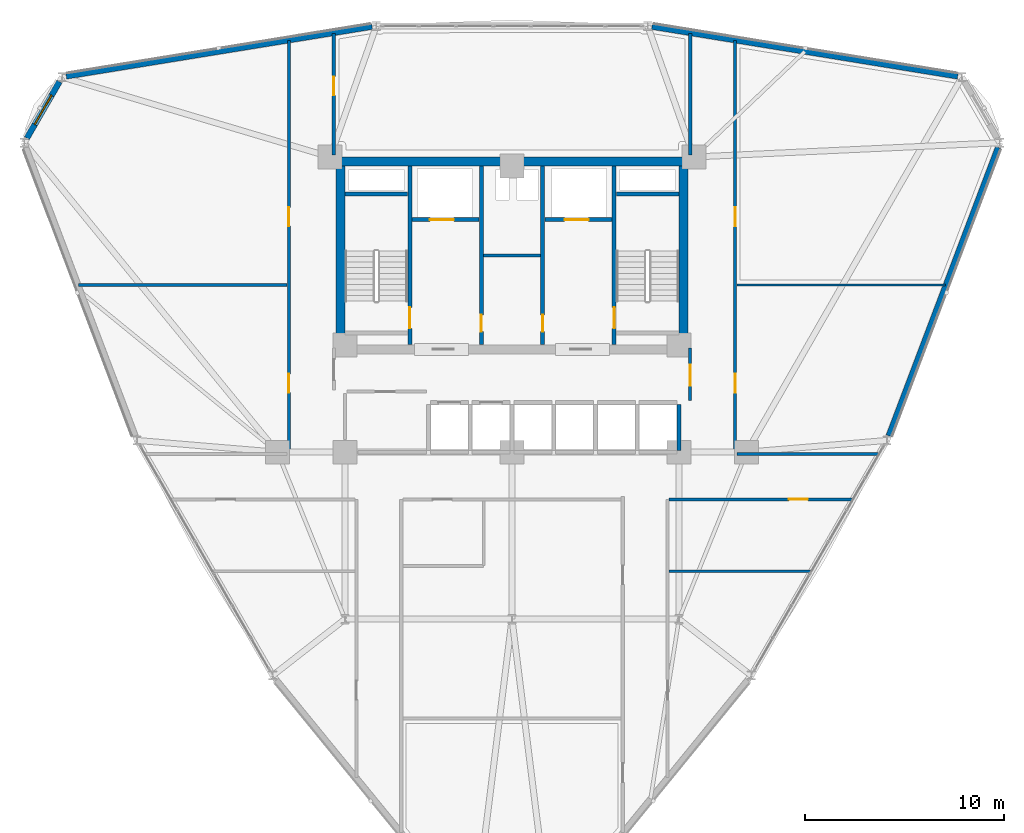
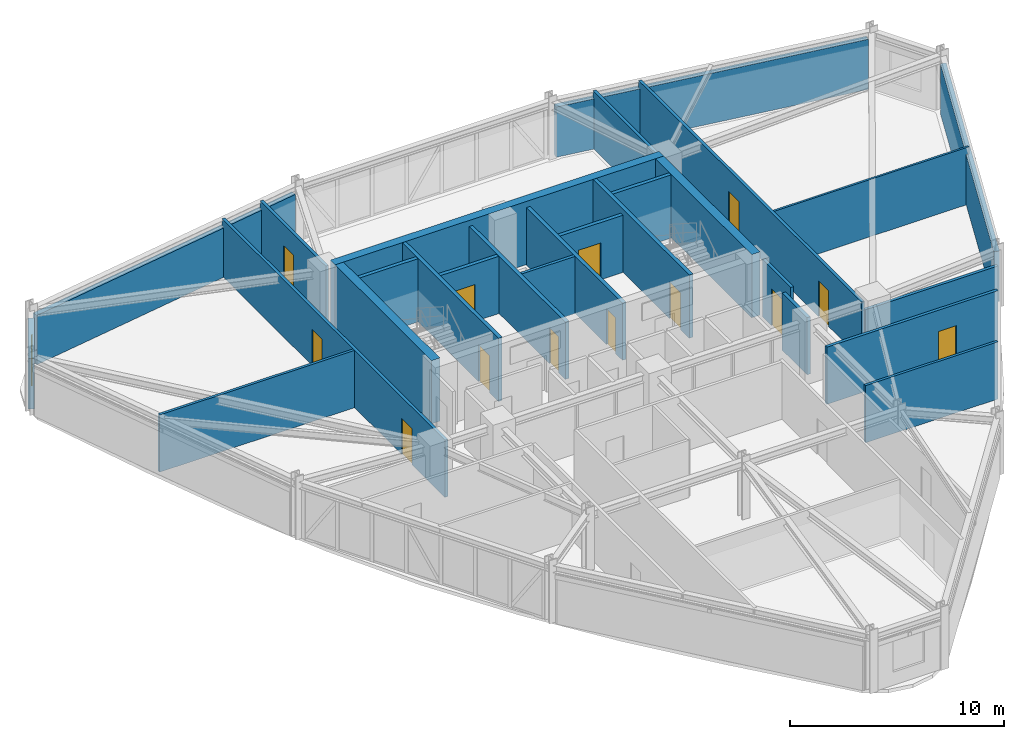
# One storey, part 11 of 17: 27 walls, 13 doors, 1 window, 14 openings.
"""IFC4 building model written with IfcOpenShell, lengths in metres."""

from ifc_helpers import new_model, si_unit, derived_unit, direction, frame, frame_2d, origin, place, context, subcontext, project, spatial, rectangle, extrude, material, layer, layer_set, type_object, element, fill, save


model = new_model("IFC4")

# Units and contexts
model_context = context("Model", 3, precision=1e-05, world=origin(), true_north=direction((0.0, 1.0)))
body_context = subcontext(model_context, "Body", "Model", "MODEL_VIEW")
ifc_project = project(units=[si_unit("LENGTHUNIT", "METRE"), si_unit("AREAUNIT", "SQUARE_METRE"), si_unit("VOLUMEUNIT", "CUBIC_METRE"), si_unit("PLANEANGLEUNIT", "RADIAN"), si_unit("MASSUNIT", "GRAM", prefix="KILO"), derived_unit("THERMALTRANSMITTANCEUNIT", [(si_unit("POWERUNIT", "WATT"), 1), (si_unit("LENGTHUNIT", "METRE"), -2), (si_unit("THERMODYNAMICTEMPERATUREUNIT", "KELVIN"), -1)])], contexts=[model_context])

# Site, building, storey
site_placement = place(None, origin())
site = spatial("IfcSite", under=ifc_project, at=site_placement, CompositionType="ELEMENT")
building_placement = place(site_placement, origin())
building = spatial("IfcBuilding", under=site, at=building_placement, Name="Korsvarv Bourse and Concert Hall", CompositionType="ELEMENT")
storey_placement = place(building_placement, frame((0.0, 0.0, 127.800048828125)))
storey = spatial("IfcBuildingStorey", under=building, at=storey_placement, Name="L32", CompositionType="ELEMENT", Elevation=127.800048828125)

# Wall, opening, door
ifc_material_1 = material(Name="Concrete C50/60", Category="concrete")
ifc_layer_1 = layer(ifc_material_1, 0.3798828125)
ifc_layer_set_1 = layer_set([ifc_layer_1], Name="Concrete C50/60")
wall_type_1 = type_object("IfcWallType", Name="WL-CORE-380", PredefinedType="SHEAR", material=ifc_layer_set_1)
wall_1_placement = place(storey_placement, frame((30.860107421875, 37.81005859375, 0.0), z_axis=(0.0, 0.0, 1.0), x_axis=(0.0, 1.0, 0.0)))
wall_1 = element("IfcWall", 1, at=wall_1_placement, inside=storey, type_object=wall_type_1, Name="L32 stair shaft structural wall W-L32-ST1-E", PredefinedType="SHEAR", context=body_context, shape_type="SweptSolid", body=[
    extrude(rectangle(XDim=8.97998046875, YDim=0.199951171875, at=frame_2d((4.489990234375, 0.0))), origin(), (0.0, 0.0, 1.0), 3.599853515625),
])
opening_1_placement = place(wall_1_placement, frame((0.820068359375, 0.0, 0.0)))
opening_1 = element("IfcOpeningElement", 2, at=opening_1_placement, cuts=wall_1, Name="Opening D-01", PredefinedType="OPENING", context=body_context, shape_type="SweptSolid", body=[
    extrude(rectangle(XDim=1.050048828125, YDim=2.10009765625, at=frame_2d((0.52490234375, 1.050048828125))), frame((0.0, 0.10986328125, 0.0), z_axis=(0.0, -1.0, 0.0), x_axis=(1.0, 0.0, 0.0)), (0.0, 0.0, 1.0), 0.219970703125),
])
ifc_material_2 = material(Name="Steel S355 fire door", Category="steel")
door_type_1 = type_object("IfcDoorType", Name="DR-FD60", OperationType="NOTDEFINED", PredefinedType="DOOR", material=ifc_material_2)
door_1_placement = place(opening_1_placement, origin())
door_1 = element("IfcDoor", 3, at=door_1_placement, inside=storey, type_object=door_type_1, Name="L32 interior door DR-L32-ST1", OperationType="SINGLE_SWING_RIGHT", OverallHeight=2.10009765625, OverallWidth=1.050048828125, PredefinedType="DOOR", context=body_context, shape_type="SweptSolid", body=[
    extrude(rectangle(XDim=1.050048828125, YDim=2.10009765625, at=frame_2d((0.52490234375, 1.050048828125))), frame((0.0, 0.02490234375, 0.0), z_axis=(0.0, -1.0, 0.0), x_axis=(1.0, 0.0, 0.0)), (0.0, 0.0, 1.0), 0.050048828125),
])
fill(opening_1, door_1)

# Wall
wall_2_placement = place(storey_placement, frame((27.610107421875, 45.39990234375, 0.0), z_axis=(0.0, 0.0, 1.0), x_axis=(1.0, 0.0, 0.0)))
element("IfcWall", 4, at=wall_2_placement, inside=storey, type_object=wall_type_1, Name="L32 stair shaft structural wall W-L32-ST1-N", PredefinedType="SHEAR", context=body_context, shape_type="SweptSolid", body=[
    extrude(rectangle(XDim=3.139892578125, YDim=0.199951171875, at=frame_2d((1.56982421875, 0.0))), origin(), (0.0, 0.0, 1.0), 3.599853515625),
])

# Wall, opening, door
wall_3_placement = place(storey_placement, frame((41.139892578125, 37.81005859375, 0.0), z_axis=(0.0, 0.0, 1.0), x_axis=(0.0, 1.0, 0.0)))
wall_3 = element("IfcWall", 5, at=wall_3_placement, inside=storey, type_object=wall_type_1, Name="L32 stair shaft structural wall W-L32-ST2-W", PredefinedType="SHEAR", context=body_context, shape_type="SweptSolid", body=[
    extrude(rectangle(XDim=8.97998046875, YDim=0.199951171875, at=frame_2d((4.489990234375, 0.0))), origin(), (0.0, 0.0, 1.0), 3.599853515625),
])
opening_2_placement = place(wall_3_placement, frame((0.820068359375, 0.0, 0.0)))
opening_2 = element("IfcOpeningElement", 6, at=opening_2_placement, cuts=wall_3, Name="Opening D-01", PredefinedType="OPENING", context=body_context, shape_type="SweptSolid", body=[
    extrude(rectangle(XDim=1.050048828125, YDim=2.10009765625, at=frame_2d((0.52490234375, 1.050048828125))), frame((0.0, 0.10986328125, 0.0), z_axis=(0.0, -1.0, 0.0), x_axis=(1.0, 0.0, 0.0)), (0.0, 0.0, 1.0), 0.219970703125),
])
door_2_placement = place(opening_2_placement, frame((1.050048828125, 0.0, 0.0), z_axis=(0.0, 0.0, 1.0), x_axis=(-1.0, 0.0, 0.0)))
door_2 = element("IfcDoor", 7, at=door_2_placement, inside=storey, type_object=door_type_1, Name="L32 interior door DR-L32-ST2", OperationType="SINGLE_SWING_LEFT", OverallHeight=2.10009765625, OverallWidth=1.050048828125, PredefinedType="DOOR", context=body_context, shape_type="SweptSolid", body=[
    extrude(rectangle(XDim=1.050048828125, YDim=2.10009765625, at=frame_2d((0.52490234375, 1.050048828125))), frame((0.0, 0.02490234375, 0.0), z_axis=(0.0, -1.0, 0.0), x_axis=(1.0, 0.0, 0.0)), (0.0, 0.0, 1.0), 0.050048828125),
])
fill(opening_2, door_2)

# Walls
wall_4_placement = place(storey_placement, frame((41.25, 45.39990234375, 0.0), z_axis=(0.0, 0.0, 1.0), x_axis=(1.0, 0.0, 0.0)))
element("IfcWall", 8, at=wall_4_placement, inside=storey, type_object=wall_type_1, Name="L32 stair shaft structural wall W-L32-ST2-N", PredefinedType="SHEAR", context=body_context, shape_type="SweptSolid", body=[
    extrude(rectangle(XDim=3.139892578125, YDim=0.199951171875, at=frame_2d((1.56982421875, 0.0))), origin(), (0.0, 0.0, 1.0), 3.599853515625),
])
ifc_material_3 = material(Name="Concrete C55/67", Category="concrete")
ifc_layer_2 = layer(ifc_material_3, 0.449951171875)
ifc_layer_set_2 = layer_set([ifc_layer_2], Name="Concrete C55/67")
wall_type_2 = type_object("IfcWallType", Name="WL-CORE-450", PredefinedType="SHEAR", material=ifc_layer_set_2)
wall_5_placement = place(storey_placement, frame((27.14990234375, 47.02490234375, 0.0), z_axis=(0.0, 0.0, 1.0), x_axis=(1.0, 0.0, 0.0)))
element("IfcWall", 9, at=wall_5_placement, inside=storey, type_object=wall_type_2, Name="L32 North Core Shear Wall", PredefinedType="SHEAR", context=body_context, shape_type="SweptSolid", body=[
    extrude(rectangle(XDim=17.7001953125, YDim=0.449951171875, at=frame_2d((8.85009765625, 0.0))), origin(), (0.0, 0.0, 1.0), 3.599853515625),
])
for number, where, z_axis, x_axis, name in (
    (10, (27.375, 37.800048828125, 0.0), (0.0, 0.0, 1.0), (0.0, 1.0, 0.0), "L32 West Core Shear Wall"),
    (11, (44.625, 37.800048828125, 0.0), (0.0, 0.0, 1.0), (0.0, 1.0, 0.0), "L32 East Core Shear Wall"),
):
    element("IfcWall", number, at=place(storey_placement, frame(where, z_axis=z_axis, x_axis=x_axis)), inside=storey, type_object=wall_type_2, Name=name, PredefinedType="SHEAR", context=body_context, shape_type="SweptSolid", body=[
        extrude(rectangle(XDim=9.0, YDim=0.449951171875, at=frame_2d((4.5, 0.0))), origin(), (0.0, 0.0, 1.0), 3.599853515625),
    ])

# Wall, opening, window
ifc_material_4 = material(Name="Precast concrete C45/55 with terracotta rainscreen", Category="concrete")
ifc_layer_3 = layer(ifc_material_4, 0.300048828125)
ifc_layer_set_3 = layer_set([ifc_layer_3], Name="Precast concrete C45/55 with terracotta rainscreen")
wall_type_3 = type_object("IfcWallType", Name="WL-EXT-TC1", PredefinedType="SOLIDWALL", material=ifc_layer_set_3)
wall_6_placement = place(storey_placement, frame((13.23193359375, 51.038330078125, 0.0), z_axis=(0.0, 0.0, 1.0), x_axis=(-0.500014611105, -0.866016967894, 0.0)))
wall_6 = element("IfcWall", 12, at=wall_6_placement, inside=storey, type_object=wall_type_3, Name="L32 terracotta exterior wall EW-L32-B05", PredefinedType="SOLIDWALL", context=body_context, shape_type="SweptSolid", body=[
    extrude(rectangle(XDim=3.279296875, YDim=0.300048828125, at=frame_2d((1.6396484375, 0.0))), origin(), (0.0, 0.0, 1.0), 2.85986328125),
])
opening_3_placement = place(wall_6_placement, frame((0.78955078125, 0.0, 0.75)))
opening_3 = element("IfcOpeningElement", 13, at=opening_3_placement, cuts=wall_6, Name="Opening W-01", PredefinedType="OPENING", context=body_context, shape_type="SweptSolid", body=[
    extrude(rectangle(XDim=1.699951171875, YDim=1.75, at=frame_2d((0.85009765625, 0.875))), frame((0.0, 0.16015625, 0.0), z_axis=(0.0, -1.0, 0.0), x_axis=(1.0, 0.0, 0.0)), (0.0, 0.0, 1.0), 0.320068359375),
])
ifc_material_5 = material(Name="Thermally broken aluminium frame with triple low-E glass", Category="glass")
window_type = type_object("IfcWindowType", Name="WIN-TW1", PartitioningType="SINGLE_PANEL", PredefinedType="WINDOW", material=ifc_material_5)
window_placement = place(opening_3_placement, origin())
window = element("IfcWindow", 14, at=window_placement, inside=storey, type_object=window_type, Name="L32 punched facade window W-01", OverallHeight=1.75, OverallWidth=1.699951171875, PartitioningType="SINGLE_PANEL", PredefinedType="WINDOW", context=body_context, shape_type="SweptSolid", body=[
    extrude(rectangle(XDim=1.699951171875, YDim=1.75, at=frame_2d((0.85009765625, 0.875))), frame((0.0, 0.030029296875, 0.0), z_axis=(0.0, -1.0, 0.0), x_axis=(1.0, 0.0, 0.0)), (0.0, 0.0, 1.0), 0.06005859375),
])
fill(opening_3, window)

# Walls
ifc_material_6 = material(Name="Precast concrete C45/55 with fluted terracotta pier", Category="concrete")
ifc_layer_4 = layer(ifc_material_6, 0.280029296875)
ifc_layer_set_4 = layer_set([ifc_layer_4], Name="Precast concrete C45/55 with fluted terracotta pier")
wall_type_4 = type_object("IfcWallType", Name="WL-EXT-TC2", PredefinedType="SOLIDWALL", material=ifc_layer_set_4)
wall_7_placement = place(storey_placement, frame((58.419921875, 51.3056640625, 0.0), z_axis=(0.0, 0.0, 1.0), x_axis=(-0.987036263752, 0.160497395736, 0.0)))
element("IfcWall", 15, at=wall_7_placement, inside=storey, type_object=wall_type_4, Name="L32 terracotta exterior wall EW-L32-B02", PredefinedType="SOLIDWALL", context=body_context, shape_type="SweptSolid", body=[
    extrude(rectangle(XDim=15.5810546875, YDim=0.280029296875, at=frame_2d((7.79052734375, 0.0))), origin(), (0.0, 0.0, 1.0), 2.85986328125),
])
wall_8_placement = place(storey_placement, frame((28.959228515625, 53.806396484375, 0.0), z_axis=(0.0, 0.0, 1.0), x_axis=(-0.987036263752, -0.160497395736, 0.0)))
element("IfcWall", 16, at=wall_8_placement, inside=storey, type_object=wall_type_4, Name="L32 terracotta exterior wall EW-L32-B04", PredefinedType="SOLIDWALL", context=body_context, shape_type="SweptSolid", body=[
    extrude(rectangle(XDim=15.5810546875, YDim=0.280029296875, at=frame_2d((7.79052734375, 0.0))), origin(), (0.0, 0.0, 1.0), 2.81005859375),
])
wall_9_placement = place(storey_placement, frame((54.952392578125, 33.22412109375, 0.0), z_axis=(0.0, 0.0, 1.0), x_axis=(0.354519532047, 0.935048609109, 0.0)))
element("IfcWall", 17, at=wall_9_placement, inside=storey, type_object=wall_type_4, Name="L32 terracotta exterior wall EW-L32-B12", PredefinedType="SOLIDWALL", context=body_context, shape_type="SweptSolid", body=[
    extrude(rectangle(XDim=15.517333984375, YDim=0.280029296875, at=frame_2d((7.7587890625, 0.0))), origin(), (0.0, 0.0, 1.0), 2.85986328125),
])

# Wall, opening, door
ifc_material_7 = material(Name="Reinforced concrete blockwork C35/45 fire wall", Category="concrete")
ifc_layer_5 = layer(ifc_material_7, 0.199951171875)
ifc_layer_set_5 = layer_set([ifc_layer_5], Name="Reinforced concrete blockwork C35/45 fire wall")
wall_type_5 = type_object("IfcWallType", Name="WL-INT-EI120", PredefinedType="PARTITIONING", material=ifc_layer_set_5)
wall_10_placement = place(storey_placement, frame((30.969970703125, 44.10009765625, 0.0), z_axis=(0.0, 0.0, 1.0), x_axis=(1.0, 0.0, 0.0)))
wall_10 = element("IfcWall", 18, at=wall_10_placement, inside=storey, type_object=wall_type_5, Name="L32 interior partition wall W-L32-FF1-S", PredefinedType="PARTITIONING", context=body_context, shape_type="SweptSolid", body=[
    extrude(rectangle(XDim=3.380126953125, YDim=0.199951171875, at=frame_2d((1.68994140625, 0.0))), origin(), (0.0, 0.0, 1.0), 3.260009765625),
])
opening_4_placement = place(wall_10_placement, frame((0.89990234375, 0.0, 0.0)))
opening_4 = element("IfcOpeningElement", 19, at=opening_4_placement, cuts=wall_10, Name="Opening LD-1", PredefinedType="OPENING", context=body_context, shape_type="SweptSolid", body=[
    extrude(rectangle(XDim=1.199951171875, YDim=2.10009765625, at=frame_2d((0.60009765625, 1.050048828125))), frame((0.0, 0.10986328125, 0.0), z_axis=(0.0, -1.0, 0.0), x_axis=(1.0, 0.0, 0.0)), (0.0, 0.0, 1.0), 0.219970703125),
])
ifc_material_8 = material(Name="Stainless Steel S355 firefighting lift landing door", Category="steel")
door_type_2 = type_object("IfcDoorType", Name="DR-LIFT-FF", OperationType="DOUBLE_DOOR_SLIDING", PredefinedType="DOOR", material=ifc_material_8)
door_3_placement = place(opening_4_placement, origin())
door_3 = element("IfcDoor", 20, at=door_3_placement, inside=storey, type_object=door_type_2, Name="L32 lift sliding landing door LD-L32-FF1", OperationType="DOUBLE_DOOR_SLIDING", OverallHeight=2.10009765625, OverallWidth=1.199951171875, PredefinedType="DOOR", context=body_context, shape_type="SweptSolid", body=[
    extrude(rectangle(XDim=1.199951171875, YDim=2.10009765625, at=frame_2d((0.60009765625, 1.050048828125))), frame((0.0, 0.02490234375, 0.0), z_axis=(0.0, -1.0, 0.0), x_axis=(1.0, 0.0, 0.0)), (0.0, 0.0, 1.0), 0.050048828125),
])
fill(opening_4, door_3)

wall_11_placement = place(storey_placement, frame((37.64990234375, 44.10009765625, 0.0), z_axis=(0.0, 0.0, 1.0), x_axis=(1.0, 0.0, 0.0)))
wall_11 = element("IfcWall", 21, at=wall_11_placement, inside=storey, type_object=wall_type_5, Name="L32 interior partition wall W-L32-FF2-S", PredefinedType="PARTITIONING", context=body_context, shape_type="SweptSolid", body=[
    extrude(rectangle(XDim=3.380126953125, YDim=0.199951171875, at=frame_2d((1.68994140625, 0.0))), origin(), (0.0, 0.0, 1.0), 3.260009765625),
])
opening_5_placement = place(wall_11_placement, frame((1.0, 0.0, 0.0)))
opening_5 = element("IfcOpeningElement", 22, at=opening_5_placement, cuts=wall_11, Name="Opening LD-1", PredefinedType="OPENING", context=body_context, shape_type="SweptSolid", body=[
    extrude(rectangle(XDim=1.199951171875, YDim=2.10009765625, at=frame_2d((0.60009765625, 1.050048828125))), frame((0.0, 0.10986328125, 0.0), z_axis=(0.0, -1.0, 0.0), x_axis=(1.0, 0.0, 0.0)), (0.0, 0.0, 1.0), 0.219970703125),
])
door_4_placement = place(opening_5_placement, origin())
door_4 = element("IfcDoor", 23, at=door_4_placement, inside=storey, type_object=door_type_2, Name="L32 lift sliding landing door LD-L32-FF2", OperationType="DOUBLE_DOOR_SLIDING", OverallHeight=2.10009765625, OverallWidth=1.199951171875, PredefinedType="DOOR", context=body_context, shape_type="SweptSolid", body=[
    extrude(rectangle(XDim=1.199951171875, YDim=2.10009765625, at=frame_2d((0.60009765625, 1.050048828125))), frame((0.0, 0.02490234375, 0.0), z_axis=(0.0, -1.0, 0.0), x_axis=(1.0, 0.0, 0.0)), (0.0, 0.0, 1.0), 0.050048828125),
])
fill(opening_5, door_4)

wall_12_placement = place(storey_placement, frame((34.4599609375, 37.81005859375, 0.0), z_axis=(0.0, 0.0, 1.0), x_axis=(0.0, 1.0, 0.0)))
wall_12 = element("IfcWall", 24, at=wall_12_placement, inside=storey, type_object=wall_type_5, Name="L32 interior partition wall W-L32-CSB-W", PredefinedType="PARTITIONING", context=body_context, shape_type="SweptSolid", body=[
    extrude(rectangle(XDim=8.97998046875, YDim=0.199951171875, at=frame_2d((4.489990234375, 0.0))), origin(), (0.0, 0.0, 1.0), 3.260009765625),
])
opening_6_placement = place(wall_12_placement, frame((0.64990234375, 0.0, 0.0)))
opening_6 = element("IfcOpeningElement", 25, at=opening_6_placement, cuts=wall_12, Name="Opening D-05", PredefinedType="OPENING", context=body_context, shape_type="SweptSolid", body=[
    extrude(rectangle(XDim=0.85009765625, YDim=2.050048828125, at=frame_2d((0.425048828125, 1.02490234375))), frame((0.0, 0.10986328125, 0.0), z_axis=(0.0, -1.0, 0.0), x_axis=(1.0, 0.0, 0.0)), (0.0, 0.0, 1.0), 0.219970703125),
])
door_type_3 = type_object("IfcDoorType", Name="DR-FD60-850X2050", OperationType="NOTDEFINED", PredefinedType="DOOR", material=ifc_material_2)
door_5_placement = place(opening_6_placement, frame((0.85009765625, 0.0, 0.0), z_axis=(0.0, 0.0, 1.0), x_axis=(-1.0, 0.0, 0.0)))
door_5 = element("IfcDoor", 26, at=door_5_placement, inside=storey, type_object=door_type_3, Name="L32 interior door DR-L32-CSB1", OperationType="SINGLE_SWING_RIGHT", OverallHeight=2.050048828125, OverallWidth=0.85009765625, PredefinedType="DOOR", context=body_context, shape_type="SweptSolid", body=[
    extrude(rectangle(XDim=0.85009765625, YDim=2.050048828125, at=frame_2d((0.425048828125, 1.02490234375))), frame((0.0, 0.02490234375, 0.0), z_axis=(0.0, -1.0, 0.0), x_axis=(1.0, 0.0, 0.0)), (0.0, 0.0, 1.0), 0.050048828125),
])
fill(opening_6, door_5)

wall_13_placement = place(storey_placement, frame((37.5400390625, 37.81005859375, 0.0), z_axis=(0.0, 0.0, 1.0), x_axis=(0.0, 1.0, 0.0)))
wall_13 = element("IfcWall", 27, at=wall_13_placement, inside=storey, type_object=wall_type_5, Name="L32 interior partition wall W-L32-CSB-E", PredefinedType="PARTITIONING", context=body_context, shape_type="SweptSolid", body=[
    extrude(rectangle(XDim=8.97998046875, YDim=0.199951171875, at=frame_2d((4.489990234375, 0.0))), origin(), (0.0, 0.0, 1.0), 3.260009765625),
])
opening_7_placement = place(wall_13_placement, frame((0.64990234375, 0.0, 0.0)))
opening_7 = element("IfcOpeningElement", 28, at=opening_7_placement, cuts=wall_13, Name="Opening D-05", PredefinedType="OPENING", context=body_context, shape_type="SweptSolid", body=[
    extrude(rectangle(XDim=0.85009765625, YDim=2.050048828125, at=frame_2d((0.425048828125, 1.02490234375))), frame((0.0, 0.10986328125, 0.0), z_axis=(0.0, -1.0, 0.0), x_axis=(1.0, 0.0, 0.0)), (0.0, 0.0, 1.0), 0.219970703125),
])
door_6_placement = place(opening_7_placement, origin())
door_6 = element("IfcDoor", 29, at=door_6_placement, inside=storey, type_object=door_type_3, Name="L32 interior door DR-L32-CSB2", OperationType="SINGLE_SWING_LEFT", OverallHeight=2.050048828125, OverallWidth=0.85009765625, PredefinedType="DOOR", context=body_context, shape_type="SweptSolid", body=[
    extrude(rectangle(XDim=0.85009765625, YDim=2.050048828125, at=frame_2d((0.425048828125, 1.02490234375))), frame((0.0, 0.02490234375, 0.0), z_axis=(0.0, -1.0, 0.0), x_axis=(1.0, 0.0, 0.0)), (0.0, 0.0, 1.0), 0.050048828125),
])
fill(opening_7, door_6)

# Wall
ifc_material_9 = material(Name="Double-stud fire-rated acoustic partition", Category="gypsum")
ifc_layer_6 = layer(ifc_material_9, 0.159912109375)
ifc_layer_set_6 = layer_set([ifc_layer_6], Name="Double-stud fire-rated acoustic partition")
wall_type_6 = type_object("IfcWallType", Name="WL-INT-EI60", PredefinedType="PARTITIONING", material=ifc_layer_set_6)
wall_14_placement = place(storey_placement, frame((34.570068359375, 42.300048828125, 0.0), z_axis=(0.0, 0.0, 1.0), x_axis=(1.0, 0.0, 0.0)))
element("IfcWall", 30, at=wall_14_placement, inside=storey, type_object=wall_type_6, Name="L32 interior partition wall W-L32-K1", PredefinedType="PARTITIONING", context=body_context, shape_type="SweptSolid", body=[
    extrude(rectangle(XDim=2.85986328125, YDim=0.159912109375, at=frame_2d((1.429931640625, 0.0))), origin(), (0.0, 0.0, 1.0), 3.260009765625),
])

# Wall, opening, door
wall_15_placement = place(storey_placement, frame((44.9599609375, 35.0, 0.0), z_axis=(0.0, 0.0, 1.0), x_axis=(0.0, 1.0, 0.0)))
wall_15 = element("IfcWall", 31, at=wall_15_placement, inside=storey, type_object=wall_type_6, Name="L32 interior partition wall W-L32-LOB-E", PredefinedType="PARTITIONING", context=body_context, shape_type="SweptSolid", body=[
    extrude(rectangle(XDim=2.64990234375, YDim=0.159912109375, at=frame_2d((1.324951171875, 0.0))), origin(), (0.0, 0.0, 1.0), 3.260009765625),
])
opening_8_placement = place(wall_15_placement, frame((0.75, 0.0, 0.0)))
opening_8 = element("IfcOpeningElement", 32, at=opening_8_placement, cuts=wall_15, Name="Opening D-01", PredefinedType="OPENING", context=body_context, shape_type="SweptSolid", body=[
    extrude(rectangle(XDim=1.050048828125, YDim=2.10009765625, at=frame_2d((0.52490234375, 1.050048828125))), frame((0.0, 0.08984375, 0.0), z_axis=(0.0, -1.0, 0.0), x_axis=(1.0, 0.0, 0.0)), (0.0, 0.0, 1.0), 0.179931640625),
])
door_7_placement = place(opening_8_placement, origin())
door_7 = element("IfcDoor", 33, at=door_7_placement, inside=storey, type_object=door_type_1, Name="L32 interior door DR-L32-LOBE", OperationType="SINGLE_SWING_RIGHT", OverallHeight=2.10009765625, OverallWidth=1.050048828125, PredefinedType="DOOR", context=body_context, shape_type="SweptSolid", body=[
    extrude(rectangle(XDim=1.050048828125, YDim=2.10009765625, at=frame_2d((0.52490234375, 1.050048828125))), frame((0.0, 0.02490234375, 0.0), z_axis=(0.0, -1.0, 0.0), x_axis=(1.0, 0.0, 0.0)), (0.0, 0.0, 1.0), 0.050048828125),
])
fill(opening_8, door_7)

# Wall, openings, doors
wall_16_placement = place(storey_placement, frame((47.22509765625, 32.31005859375, 0.0), z_axis=(0.0, 0.0, 1.0), x_axis=(0.0, 1.0, 0.0)))
wall_16 = element("IfcWall", 34, at=wall_16_placement, inside=storey, type_object=wall_type_6, Name="L32 interior partition wall W-L32-TCOR-01", PredefinedType="PARTITIONING", context=body_context, shape_type="SweptSolid", body=[
    extrude(rectangle(XDim=20.7958984375, YDim=0.159912109375, at=frame_2d((10.39794921875, 0.0))), origin(), (0.0, 0.0, 1.0), 3.260009765625),
])
opening_9_placement = place(wall_16_placement, frame((3.08154296875, 0.0, 0.0)))
opening_9 = element("IfcOpeningElement", 35, at=opening_9_placement, cuts=wall_16, Name="Opening D-02", PredefinedType="OPENING", context=body_context, shape_type="SweptSolid", body=[
    extrude(rectangle(XDim=0.949951171875, YDim=2.050048828125, at=frame_2d((0.47509765625, 1.02490234375))), frame((0.0, 0.08984375, 0.0), z_axis=(0.0, -1.0, 0.0), x_axis=(1.0, 0.0, 0.0)), (0.0, 0.0, 1.0), 0.179931640625),
])
opening_10_placement = place(wall_16_placement, frame((11.459716796875, 0.0, 0.0)))
opening_10 = element("IfcOpeningElement", 36, at=opening_10_placement, cuts=wall_16, Name="Opening D-02", PredefinedType="OPENING", context=body_context, shape_type="SweptSolid", body=[
    extrude(rectangle(XDim=0.949951171875, YDim=2.050048828125, at=frame_2d((0.47509765625, 1.02490234375))), frame((0.0, 0.08984375, 0.0), z_axis=(0.0, -1.0, 0.0), x_axis=(1.0, 0.0, 0.0)), (0.0, 0.0, 1.0), 0.179931640625),
])
ifc_material_10 = material(Name="Timber and steel acoustic fire door", Category="wood")
door_type_4 = type_object("IfcDoorType", Name="DR-FD30", OperationType="NOTDEFINED", PredefinedType="DOOR", material=ifc_material_10)
door_8_placement = place(opening_9_placement, origin())
door_8 = element("IfcDoor", 37, at=door_8_placement, inside=storey, type_object=door_type_4, Name="L32 interior door DR-L32-TCOR-ES81", OperationType="SINGLE_SWING_LEFT", OverallHeight=2.050048828125, OverallWidth=0.949951171875, PredefinedType="DOOR", context=body_context, shape_type="SweptSolid", body=[
    extrude(rectangle(XDim=0.949951171875, YDim=2.050048828125, at=frame_2d((0.47509765625, 1.02490234375))), frame((0.0, 0.02490234375, 0.0), z_axis=(0.0, -1.0, 0.0), x_axis=(1.0, 0.0, 0.0)), (0.0, 0.0, 1.0), 0.050048828125),
])
fill(opening_9, door_8)
door_9_placement = place(opening_10_placement, origin())
door_9 = element("IfcDoor", 38, at=door_9_placement, inside=storey, type_object=door_type_4, Name="L32 interior door DR-L32-TCOR-RM22", OperationType="SINGLE_SWING_RIGHT", OverallHeight=2.050048828125, OverallWidth=0.949951171875, PredefinedType="DOOR", context=body_context, shape_type="SweptSolid", body=[
    extrude(rectangle(XDim=0.949951171875, YDim=2.050048828125, at=frame_2d((0.47509765625, 1.02490234375))), frame((0.0, 0.02490234375, 0.0), z_axis=(0.0, -1.0, 0.0), x_axis=(1.0, 0.0, 0.0)), (0.0, 0.0, 1.0), 0.050048828125),
])
fill(opening_10, door_9)

wall_17_placement = place(storey_placement, frame((24.77490234375, 32.31005859375, 0.0), z_axis=(0.0, 0.0, 1.0), x_axis=(0.0, 1.0, 0.0)))
wall_17 = element("IfcWall", 39, at=wall_17_placement, inside=storey, type_object=wall_type_6, Name="L32 interior partition wall W-L32-TCOR-02", PredefinedType="PARTITIONING", context=body_context, shape_type="SweptSolid", body=[
    extrude(rectangle(XDim=20.7958984375, YDim=0.159912109375, at=frame_2d((10.39794921875, 0.0))), origin(), (0.0, 0.0, 1.0), 3.260009765625),
])
opening_11_placement = place(wall_17_placement, frame((3.08154296875, 0.0, 0.0)))
opening_11 = element("IfcOpeningElement", 40, at=opening_11_placement, cuts=wall_17, Name="Opening D-02", PredefinedType="OPENING", context=body_context, shape_type="SweptSolid", body=[
    extrude(rectangle(XDim=0.949951171875, YDim=2.050048828125, at=frame_2d((0.47509765625, 1.02490234375))), frame((0.0, 0.08984375, 0.0), z_axis=(0.0, -1.0, 0.0), x_axis=(1.0, 0.0, 0.0)), (0.0, 0.0, 1.0), 0.179931640625),
])
opening_12_placement = place(wall_17_placement, frame((11.459716796875, 0.0, 0.0)))
opening_12 = element("IfcOpeningElement", 41, at=opening_12_placement, cuts=wall_17, Name="Opening D-02", PredefinedType="OPENING", context=body_context, shape_type="SweptSolid", body=[
    extrude(rectangle(XDim=0.949951171875, YDim=2.050048828125, at=frame_2d((0.47509765625, 1.02490234375))), frame((0.0, 0.08984375, 0.0), z_axis=(0.0, -1.0, 0.0), x_axis=(1.0, 0.0, 0.0)), (0.0, 0.0, 1.0), 0.179931640625),
])
door_10_placement = place(opening_11_placement, origin())
door_10 = element("IfcDoor", 42, at=door_10_placement, inside=storey, type_object=door_type_4, Name="L32 interior door DR-L32-TCOR-ES610", OperationType="SINGLE_SWING_LEFT", OverallHeight=2.050048828125, OverallWidth=0.949951171875, PredefinedType="DOOR", context=body_context, shape_type="SweptSolid", body=[
    extrude(rectangle(XDim=0.949951171875, YDim=2.050048828125, at=frame_2d((0.47509765625, 1.02490234375))), frame((0.0, 0.02490234375, 0.0), z_axis=(0.0, -1.0, 0.0), x_axis=(1.0, 0.0, 0.0)), (0.0, 0.0, 1.0), 0.050048828125),
])
fill(opening_11, door_10)
door_11_placement = place(opening_12_placement, origin())
door_11 = element("IfcDoor", 43, at=door_11_placement, inside=storey, type_object=door_type_4, Name="L32 interior door DR-L32-TCOR-ES711", OperationType="SINGLE_SWING_RIGHT", OverallHeight=2.050048828125, OverallWidth=0.949951171875, PredefinedType="DOOR", context=body_context, shape_type="SweptSolid", body=[
    extrude(rectangle(XDim=0.949951171875, YDim=2.050048828125, at=frame_2d((0.47509765625, 1.02490234375))), frame((0.0, 0.02490234375, 0.0), z_axis=(0.0, -1.0, 0.0), x_axis=(1.0, 0.0, 0.0)), (0.0, 0.0, 1.0), 0.050048828125),
])
fill(opening_12, door_11)

# Wall, opening, door
wall_18_placement = place(storey_placement, frame((43.906982421875, 30.02490234375, 0.0), z_axis=(0.0, 0.0, 1.0), x_axis=(1.0, 0.0, 0.0)))
wall_18 = element("IfcWall", 44, at=wall_18_placement, inside=storey, type_object=wall_type_6, Name="L32 interior partition wall W-L32-TCOR-09", PredefinedType="PARTITIONING", context=body_context, shape_type="SweptSolid", body=[
    extrude(rectangle(XDim=9.224609375, YDim=0.159912109375, at=frame_2d((4.6123046875, 0.0))), origin(), (0.0, 0.0, 1.0), 3.260009765625),
])
opening_13_placement = place(wall_18_placement, frame((6.02490234375, 0.0, 0.0)))
opening_13 = element("IfcOpeningElement", 45, at=opening_13_placement, cuts=wall_18, Name="Opening D-02", PredefinedType="OPENING", context=body_context, shape_type="SweptSolid", body=[
    extrude(rectangle(XDim=0.949951171875, YDim=2.050048828125, at=frame_2d((0.47509765625, 1.02490234375))), frame((0.0, 0.08984375, 0.0), z_axis=(0.0, -1.0, 0.0), x_axis=(1.0, 0.0, 0.0)), (0.0, 0.0, 1.0), 0.179931640625),
])
door_12_placement = place(opening_13_placement, origin())
door_12 = element("IfcDoor", 46, at=door_12_placement, inside=storey, type_object=door_type_4, Name="L32 interior door DR-L32-TCOR-ES24", OperationType="SINGLE_SWING_LEFT", OverallHeight=2.050048828125, OverallWidth=0.949951171875, PredefinedType="DOOR", context=body_context, shape_type="SweptSolid", body=[
    extrude(rectangle(XDim=0.949951171875, YDim=2.050048828125, at=frame_2d((0.47509765625, 1.02490234375))), frame((0.0, 0.02490234375, 0.0), z_axis=(0.0, -1.0, 0.0), x_axis=(1.0, 0.0, 0.0)), (0.0, 0.0, 1.0), 0.050048828125),
])
fill(opening_13, door_12)

# Wall
wall_19_placement = place(storey_placement, frame((47.306884765625, 32.31494140625, 0.0), z_axis=(0.0, 0.0, 1.0), x_axis=(1.0, 0.0, 0.0)))
element("IfcWall", 47, at=wall_19_placement, inside=storey, type_object=wall_type_6, Name="L32 interior partition wall W-L32-TCOR-11", PredefinedType="PARTITIONING", context=body_context, shape_type="SweptSolid", body=[
    extrude(rectangle(XDim=7.146728515625, YDim=0.159912109375, at=frame_2d((3.5732421875, 0.0))), origin(), (0.0, 0.0, 1.0), 2.81005859375),
])

# Wall, opening, door
wall_20_placement = place(storey_placement, frame((27.034912109375, 47.340087890625, 0.0), z_axis=(0.0, 0.0, 1.0), x_axis=(0.0, 1.0, 0.0)))
wall_20 = element("IfcWall", 48, at=wall_20_placement, inside=storey, type_object=wall_type_6, Name="L32 interior partition wall W-L32-TCOR-12", PredefinedType="PARTITIONING", context=body_context, shape_type="SweptSolid", body=[
    extrude(rectangle(XDim=6.13330078125, YDim=0.159912109375, at=frame_2d((3.066650390625, 0.0))), origin(), (0.0, 0.0, 1.0), 3.260009765625),
])
opening_14_placement = place(wall_20_placement, frame((3.0048828125, 0.0, 0.0)))
opening_14 = element("IfcOpeningElement", 49, at=opening_14_placement, cuts=wall_20, Name="Opening D-02", PredefinedType="OPENING", context=body_context, shape_type="SweptSolid", body=[
    extrude(rectangle(XDim=0.949951171875, YDim=2.050048828125, at=frame_2d((0.47509765625, 1.02490234375))), frame((0.0, 0.08984375, 0.0), z_axis=(0.0, -1.0, 0.0), x_axis=(1.0, 0.0, 0.0)), (0.0, 0.0, 1.0), 0.179931640625),
])
door_13_placement = place(opening_14_placement, origin())
door_13 = element("IfcDoor", 50, at=door_13_placement, inside=storey, type_object=door_type_4, Name="L32 interior door DR-L32-TCOR-RM55", OperationType="SINGLE_SWING_RIGHT", OverallHeight=2.050048828125, OverallWidth=0.949951171875, PredefinedType="DOOR", context=body_context, shape_type="SweptSolid", body=[
    extrude(rectangle(XDim=0.949951171875, YDim=2.050048828125, at=frame_2d((0.47509765625, 1.02490234375))), frame((0.0, 0.02490234375, 0.0), z_axis=(0.0, -1.0, 0.0), x_axis=(1.0, 0.0, 0.0)), (0.0, 0.0, 1.0), 0.050048828125),
])
fill(opening_14, door_13)

# Walls
wall_21_placement = place(storey_placement, frame((44.965087890625, 47.340087890625, 0.0), z_axis=(0.0, 0.0, 1.0), x_axis=(0.0, 1.0, 0.0)))
element("IfcWall", 51, at=wall_21_placement, inside=storey, type_object=wall_type_6, Name="L32 interior partition wall W-L32-TCOR-13", PredefinedType="PARTITIONING", context=body_context, shape_type="SweptSolid", body=[
    extrude(rectangle(XDim=6.13330078125, YDim=0.159912109375, at=frame_2d((3.066650390625, 0.0))), origin(), (0.0, 0.0, 1.0), 3.260009765625),
])
ifc_material_11 = material(Name="Gypsum-clad autoclaved concrete shaft wall C30/37", Category="concrete")
ifc_layer_7 = layer(ifc_material_11, 0.179931640625)
ifc_layer_set_7 = layer_set([ifc_layer_7], Name="Gypsum-clad autoclaved concrete shaft wall C30/37")
wall_type_7 = type_object("IfcWallType", Name="WL-INT-EI90", PredefinedType="PARTITIONING", material=ifc_layer_set_7)
wall_22_placement = place(storey_placement, frame((44.39990234375, 32.489990234375, 0.0), z_axis=(0.0, 0.0, 1.0), x_axis=(0.0, 1.0, 0.0)))
element("IfcWall", 52, at=wall_22_placement, inside=storey, type_object=wall_type_7, Name="L32 interior partition wall W-L32-SHFE-END", PredefinedType="PARTITIONING", context=body_context, shape_type="SweptSolid", body=[
    extrude(rectangle(XDim=2.320068359375, YDim=0.179931640625, at=frame_2d((1.16015625, 0.0))), origin(), (0.0, 0.0, 1.0), 3.260009765625),
])
ifc_material_12 = material(Name="Demountable acoustic glass and aluminium dealing partition", Category="aluminium")
ifc_layer_8 = layer(ifc_material_12, 0.110107421875)
ifc_layer_set_8 = layer_set([ifc_layer_8], Name="Demountable acoustic glass and aluminium dealing partition")
wall_type_8 = type_object("IfcWallType", Name="WL-INT-MOV", PredefinedType="MOVABLE", material=ifc_layer_set_8)
wall_23_placement = place(storey_placement, frame((47.306884765625, 40.804931640625, 0.0), z_axis=(0.0, 0.0, 1.0), x_axis=(1.0, 0.0, 0.0)))
element("IfcWall", 53, at=wall_23_placement, inside=storey, type_object=wall_type_8, Name="L32 interior partition wall W-L32-TCOR-16", PredefinedType="MOVABLE", context=body_context, shape_type="SweptSolid", body=[
    extrude(rectangle(XDim=10.499755859375, YDim=0.110107421875, at=frame_2d((5.25, 0.0))), origin(), (0.0, 0.0, 1.0), 3.260009765625),
])
ifc_material_13 = material(Name="Insulated steel-stud office acoustic partition", Category="gypsum")
ifc_layer_9 = layer(ifc_material_13, 0.139892578125)
ifc_layer_set_9 = layer_set([ifc_layer_9], Name="Insulated steel-stud office acoustic partition")
wall_type_9 = type_object("IfcWallType", Name="WL-INT-P1", PredefinedType="PARTITIONING", material=ifc_layer_set_9)
wall_24_placement = place(storey_placement, frame((14.193359375, 40.804931640625, 0.0), z_axis=(0.0, 0.0, 1.0), x_axis=(1.0, 0.0, 0.0)))
element("IfcWall", 54, at=wall_24_placement, inside=storey, type_object=wall_type_9, Name="L32 interior partition wall W-L32-TCOR-15", PredefinedType="PARTITIONING", context=body_context, shape_type="SweptSolid", body=[
    extrude(rectangle(XDim=10.499755859375, YDim=0.139892578125, at=frame_2d((5.25, 0.0))), origin(), (0.0, 0.0, 1.0), 3.260009765625),
])
wall_25_placement = place(storey_placement, frame((43.906982421875, 26.405029296875, 0.0), z_axis=(0.0, 0.0, 1.0), x_axis=(1.0, 0.0, 0.0)))
element("IfcWall", 55, at=wall_25_placement, inside=storey, type_object=wall_type_9, Name="L32 interior partition wall W-L32-TCOR-18", PredefinedType="PARTITIONING", context=body_context, shape_type="SweptSolid", body=[
    extrude(rectangle(XDim=7.134521484375, YDim=0.139892578125, at=frame_2d((3.5673828125, 0.0))), origin(), (0.0, 0.0, 1.0), 3.260009765625),
])

save(model, "model.ifc")
